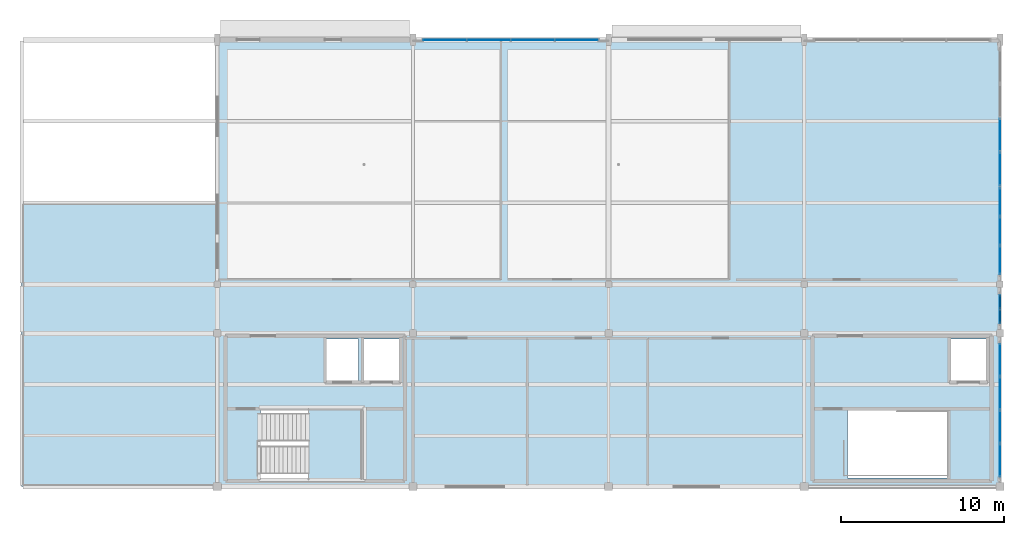
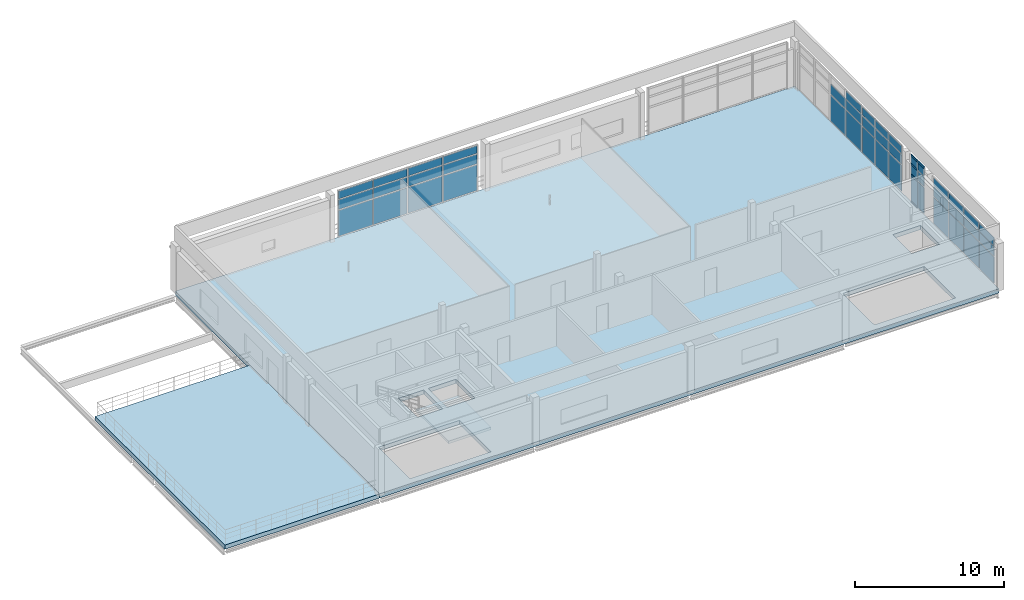
# One storey, part 4 of 9: 44 plates, 5 members, 3 slabs, 6 elements without a shape of their own.
"""IFC4 building model written with IfcOpenShell, lengths in metres."""

from ifc_helpers import new_model, si_unit, direction, frame, origin, origin_2d, place, context, subcontext, project, spatial, polyline, rectangle, outline, extrude, material, layer, layer_set, material_profile, profile_set, type_object, element, aggregate, save


model = new_model("IFC4")

# Units and contexts
model_context = context("Model", 3, precision=1e-05, world=origin(), true_north=direction((0.0, 1.0)))
body_context = subcontext(model_context, "Body", "Model", "MODEL_VIEW")
ifc_project = project(units=[si_unit("LENGTHUNIT", "METRE"), si_unit("AREAUNIT", "SQUARE_METRE"), si_unit("VOLUMEUNIT", "CUBIC_METRE"), si_unit("PLANEANGLEUNIT", "RADIAN"), si_unit("MASSUNIT", "GRAM", prefix="KILO"), si_unit("THERMODYNAMICTEMPERATUREUNIT", "KELVIN"), si_unit("POWERUNIT", "WATT")], contexts=[model_context])

# Site, building, storey
site_placement = place(None, origin())
site = spatial("IfcSite", under=ifc_project, at=site_placement, CompositionType="ELEMENT")
building_placement = place(site_placement, origin())
building = spatial("IfcBuilding", under=site, at=building_placement, Name="Solmara Park Aquatics Centre", CompositionType="ELEMENT")
storey_placement = place(building_placement, frame((0.0, 0.0, 18.60009765625)))
storey = spatial("IfcBuildingStorey", under=building, at=storey_placement, Name="L04", CompositionType="ELEMENT", Elevation=18.60009765625)

# Curtain wall, members
ifc_material_1 = material(Name="Anodised Aluminium Curtain Wall Framing", Category="aluminium")
curtain_wall_type_1 = type_object("IfcCurtainWallType", Name="ARC-CW-SYS06", PredefinedType="USERDEFINED", material=ifc_material_1)
curtain_wall_1_placement = place(storey_placement, origin())
curtain_wall_1 = element("IfcCurtainWall", 1, at=curtain_wall_1_placement, inside=storey, type_object=curtain_wall_type_1, Name="Curtain Wall CW-135", ObjectType="CURTAIN WALL", PredefinedType="USERDEFINED")
ifc_material_2 = material(Name="Anodised Aluminium Alloy 6063-T6", Category="aluminium")
ifc_material_profile = material_profile(ifc_material_2, rectangle(XDim=0.074951171875, YDim=0.14990234375, at=origin_2d()), Name="ALU TRANSOM 75x150")
ifc_profile_set = profile_set([ifc_material_profile], Name="Anodised Aluminium Alloy 6063-T6")
member_type = type_object("IfcMemberType", Name="ARC-CWT-75x150", PredefinedType="USERDEFINED", material=ifc_profile_set)
member_1_placement = place(storey_placement, frame((96.60009765625, 118.6201171875, 3.83984375), z_axis=(0.0, 1.0, 0.0), x_axis=(-1.0, 0.0, 0.0)))
member_1 = element("IfcMember", 2, at=member_1_placement, type_object=member_type, Name="CW-135 transom 4", ObjectType="TRANSOM", PredefinedType="USERDEFINED", context=body_context, shape_type="SweptSolid", body=[
    extrude(rectangle(XDim=0.074951171875, YDim=0.14990234375, at=origin_2d()), origin(), (0.0, 0.0, 1.0), 0.81982421875),
])
member_2_placement = place(storey_placement, frame((96.60009765625, 119.52001953125, 0.039794921875), z_axis=(0.0, 1.0, 0.0), x_axis=(-1.0, 0.0, 0.0)))
member_2 = element("IfcMember", 3, at=member_2_placement, type_object=member_type, Name="CW-135 transom 5", ObjectType="TRANSOM", PredefinedType="USERDEFINED", context=body_context, shape_type="SweptSolid", body=[
    extrude(rectangle(XDim=0.074951171875, YDim=0.14990234375, at=origin_2d()), origin(), (0.0, 0.0, 1.0), 0.820068359375),
])
member_3_placement = place(storey_placement, frame((96.60009765625, 119.52001953125, 2.250244140625), z_axis=(0.0, 1.0, 0.0), x_axis=(-1.0, 0.0, 0.0)))
member_3 = element("IfcMember", 4, at=member_3_placement, type_object=member_type, Name="CW-135 transom 6", ObjectType="TRANSOM", PredefinedType="USERDEFINED", context=body_context, shape_type="SweptSolid", body=[
    extrude(rectangle(XDim=0.074951171875, YDim=0.14990234375, at=origin_2d()), origin(), (0.0, 0.0, 1.0), 0.820068359375),
])
member_4_placement = place(storey_placement, frame((96.60009765625, 119.52001953125, 3.1298828125), z_axis=(0.0, 1.0, 0.0), x_axis=(-1.0, 0.0, 0.0)))
member_4 = element("IfcMember", 5, at=member_4_placement, type_object=member_type, Name="CW-135 transom 7", ObjectType="TRANSOM", PredefinedType="USERDEFINED", context=body_context, shape_type="SweptSolid", body=[
    extrude(rectangle(XDim=0.074951171875, YDim=0.14990234375, at=origin_2d()), origin(), (0.0, 0.0, 1.0), 0.820068359375),
])
member_5_placement = place(storey_placement, frame((96.60009765625, 119.52001953125, 3.83984375), z_axis=(0.0, 1.0, 0.0), x_axis=(-1.0, 0.0, 0.0)))
member_5 = element("IfcMember", 6, at=member_5_placement, type_object=member_type, Name="CW-135 transom 8", ObjectType="TRANSOM", PredefinedType="USERDEFINED", context=body_context, shape_type="SweptSolid", body=[
    extrude(rectangle(XDim=0.074951171875, YDim=0.14990234375, at=origin_2d()), origin(), (0.0, 0.0, 1.0), 0.820068359375),
])

# Curtain wall, plates
curtain_wall_2_placement = place(storey_placement, origin())
curtain_wall_2 = element("IfcCurtainWall", 7, at=curtain_wall_2_placement, inside=storey, type_object=curtain_wall_type_1, Name="Curtain Wall CW-136", ObjectType="CURTAIN WALL", PredefinedType="USERDEFINED")
ifc_material_3 = material(Name="Double Low-E Solar-Control Glazing", Category="glass")
ifc_layer_1 = layer(ifc_material_3, 0.035888671875, Name="Double Low-E Solar-Control Glazing")
ifc_layer_set_1 = layer_set([ifc_layer_1], Name="Double Low-E Solar-Control Glazing")
plate_type_1 = type_object("IfcPlateType", Name="ARC-CWP-GLZ36-1700x2140", PredefinedType="CURTAIN_PANEL", material=ifc_layer_set_1)
plate_1_placement = place(storey_placement, frame((96.60009765625, 122.473388671875, 0.079833984375), z_axis=(0.0, 0.0, 1.0), x_axis=(0.0, 1.0, 0.0)))
plate_1 = element("IfcPlate", 8, at=plate_1_placement, type_object=plate_type_1, Name="CW-136 panel 1", PredefinedType="CURTAIN_PANEL", context=body_context, shape_type="SweptSolid", body=[
    extrude(rectangle(XDim=1.706787109375, YDim=0.035888671875, at=origin_2d()), origin(), (0.0, 0.0, 1.0), 2.13037109375),
])
plate_2_placement = place(storey_placement, frame((96.60009765625, 124.260009765625, 0.079833984375), z_axis=(0.0, 0.0, 1.0), x_axis=(0.0, 1.0, 0.0)))
plate_2 = element("IfcPlate", 9, at=plate_2_placement, type_object=plate_type_1, Name="CW-136 panel 4", PredefinedType="CURTAIN_PANEL", context=body_context, shape_type="SweptSolid", body=[
    extrude(rectangle(XDim=1.70654296875, YDim=0.035888671875, at=origin_2d()), origin(), (0.0, 0.0, 1.0), 2.13037109375),
])
plate_3_placement = place(storey_placement, frame((96.60009765625, 126.046630859375, 0.079833984375), z_axis=(0.0, 0.0, 1.0), x_axis=(0.0, 1.0, 0.0)))
plate_3 = element("IfcPlate", 10, at=plate_3_placement, type_object=plate_type_1, Name="CW-136 panel 7", PredefinedType="CURTAIN_PANEL", context=body_context, shape_type="SweptSolid", body=[
    extrude(rectangle(XDim=1.706787109375, YDim=0.035888671875, at=origin_2d()), origin(), (0.0, 0.0, 1.0), 2.13037109375),
])
ifc_layer_2 = layer(ifc_material_3, 0.035888671875, Name="Double Low-E Solar-Control Glazing")
ifc_layer_set_2 = layer_set([ifc_layer_2], Name="Double Low-E Solar-Control Glazing")
plate_type_2 = type_object("IfcPlateType", Name="ARC-CWP-GLZ36-1700x800", PredefinedType="CURTAIN_PANEL", material=ifc_layer_set_2)
plate_4_placement = place(storey_placement, frame((96.60009765625, 122.473388671875, 2.29052734375), z_axis=(0.0, 0.0, 1.0), x_axis=(0.0, 1.0, 0.0)))
plate_4 = element("IfcPlate", 11, at=plate_4_placement, type_object=plate_type_2, Name="CW-136 panel 2", PredefinedType="CURTAIN_PANEL", context=body_context, shape_type="SweptSolid", body=[
    extrude(rectangle(XDim=1.706787109375, YDim=0.035888671875, at=origin_2d()), origin(), (0.0, 0.0, 1.0), 0.799560546875),
])
plate_5_placement = place(storey_placement, frame((96.60009765625, 124.260009765625, 2.29052734375), z_axis=(0.0, 0.0, 1.0), x_axis=(0.0, 1.0, 0.0)))
plate_5 = element("IfcPlate", 12, at=plate_5_placement, type_object=plate_type_2, Name="CW-136 panel 5", PredefinedType="CURTAIN_PANEL", context=body_context, shape_type="SweptSolid", body=[
    extrude(rectangle(XDim=1.70654296875, YDim=0.035888671875, at=origin_2d()), origin(), (0.0, 0.0, 1.0), 0.799560546875),
])
plate_6_placement = place(storey_placement, frame((96.60009765625, 126.046630859375, 2.29052734375), z_axis=(0.0, 0.0, 1.0), x_axis=(0.0, 1.0, 0.0)))
plate_6 = element("IfcPlate", 13, at=plate_6_placement, type_object=plate_type_2, Name="CW-136 panel 8", PredefinedType="CURTAIN_PANEL", context=body_context, shape_type="SweptSolid", body=[
    extrude(rectangle(XDim=1.706787109375, YDim=0.035888671875, at=origin_2d()), origin(), (0.0, 0.0, 1.0), 0.799560546875),
])

curtain_wall_3_placement = place(storey_placement, origin())
curtain_wall_3 = element("IfcCurtainWall", 14, at=curtain_wall_3_placement, inside=storey, type_object=curtain_wall_type_1, Name="Curtain Wall CW-134", ObjectType="CURTAIN WALL", PredefinedType="USERDEFINED")
ifc_layer_3 = layer(ifc_material_3, 0.035888671875, Name="Double Low-E Solar-Control Glazing")
ifc_layer_set_3 = layer_set([ifc_layer_3], Name="Double Low-E Solar-Control Glazing")
plate_type_3 = type_object("IfcPlateType", Name="ARC-CWP-GLZ36-1960x2140", PredefinedType="CURTAIN_PANEL", material=ifc_layer_set_3)
plate_7_placement = place(storey_placement, frame((96.60009765625, 110.205078125, 0.079833984375), z_axis=(0.0, 0.0, 1.0), x_axis=(0.0, 1.0, 0.0)))
plate_7 = element("IfcPlate", 15, at=plate_7_placement, type_object=plate_type_3, Name="CW-134 panel 1", PredefinedType="CURTAIN_PANEL", context=body_context, shape_type="SweptSolid", body=[
    extrude(rectangle(XDim=1.969970703125, YDim=0.035888671875, at=origin_2d()), origin(), (0.0, 0.0, 1.0), 2.13037109375),
])
plate_8_placement = place(storey_placement, frame((96.60009765625, 112.2548828125, 0.079833984375), z_axis=(0.0, 0.0, 1.0), x_axis=(0.0, 1.0, 0.0)))
plate_8 = element("IfcPlate", 16, at=plate_8_placement, type_object=plate_type_3, Name="CW-134 panel 4", PredefinedType="CURTAIN_PANEL", context=body_context, shape_type="SweptSolid", body=[
    extrude(rectangle(XDim=1.969970703125, YDim=0.035888671875, at=origin_2d()), origin(), (0.0, 0.0, 1.0), 2.13037109375),
])
plate_9_placement = place(storey_placement, frame((96.60009765625, 116.35498046875, 0.079833984375), z_axis=(0.0, 0.0, 1.0), x_axis=(0.0, 1.0, 0.0)))
plate_9 = element("IfcPlate", 17, at=plate_9_placement, type_object=plate_type_3, Name="CW-134 panel 10", PredefinedType="CURTAIN_PANEL", context=body_context, shape_type="SweptSolid", body=[
    extrude(rectangle(XDim=1.969970703125, YDim=0.035888671875, at=origin_2d()), origin(), (0.0, 0.0, 1.0), 2.13037109375),
])
ifc_layer_4 = layer(ifc_material_3, 0.035888671875, Name="Double Low-E Solar-Control Glazing")
ifc_layer_set_4 = layer_set([ifc_layer_4], Name="Double Low-E Solar-Control Glazing")
plate_type_4 = type_object("IfcPlateType", Name="ARC-CWP-GLZ36-1960x800", PredefinedType="CURTAIN_PANEL", material=ifc_layer_set_4)
plate_10_placement = place(storey_placement, frame((96.60009765625, 110.205078125, 2.29052734375), z_axis=(0.0, 0.0, 1.0), x_axis=(0.0, 1.0, 0.0)))
plate_10 = element("IfcPlate", 18, at=plate_10_placement, type_object=plate_type_4, Name="CW-134 panel 2", PredefinedType="CURTAIN_PANEL", context=body_context, shape_type="SweptSolid", body=[
    extrude(rectangle(XDim=1.969970703125, YDim=0.035888671875, at=origin_2d()), origin(), (0.0, 0.0, 1.0), 0.799560546875),
])
plate_11_placement = place(storey_placement, frame((96.60009765625, 112.2548828125, 2.29052734375), z_axis=(0.0, 0.0, 1.0), x_axis=(0.0, 1.0, 0.0)))
plate_11 = element("IfcPlate", 19, at=plate_11_placement, type_object=plate_type_4, Name="CW-134 panel 5", PredefinedType="CURTAIN_PANEL", context=body_context, shape_type="SweptSolid", body=[
    extrude(rectangle(XDim=1.969970703125, YDim=0.035888671875, at=origin_2d()), origin(), (0.0, 0.0, 1.0), 0.799560546875),
])
plate_12_placement = place(storey_placement, frame((96.60009765625, 116.35498046875, 2.29052734375), z_axis=(0.0, 0.0, 1.0), x_axis=(0.0, 1.0, 0.0)))
plate_12 = element("IfcPlate", 20, at=plate_12_placement, type_object=plate_type_4, Name="CW-134 panel 11", PredefinedType="CURTAIN_PANEL", context=body_context, shape_type="SweptSolid", body=[
    extrude(rectangle(XDim=1.969970703125, YDim=0.035888671875, at=origin_2d()), origin(), (0.0, 0.0, 1.0), 0.799560546875),
])
ifc_layer_5 = layer(ifc_material_3, 0.035888671875, Name="Double Low-E Solar-Control Glazing")
ifc_layer_set_5 = layer_set([ifc_layer_5], Name="Double Low-E Solar-Control Glazing")
plate_type_5 = type_object("IfcPlateType", Name="ARC-CWP-GLZ36-1980x2140", PredefinedType="CURTAIN_PANEL", material=ifc_layer_set_5)
plate_13_placement = place(storey_placement, frame((96.60009765625, 114.304931640625, 0.079833984375), z_axis=(0.0, 0.0, 1.0), x_axis=(0.0, 1.0, 0.0)))
plate_13 = element("IfcPlate", 21, at=plate_13_placement, type_object=plate_type_5, Name="CW-134 panel 7", PredefinedType="CURTAIN_PANEL", context=body_context, shape_type="SweptSolid", body=[
    extrude(rectangle(XDim=1.969970703125, YDim=0.035888671875, at=origin_2d()), origin(), (0.0, 0.0, 1.0), 2.13037109375),
])
ifc_layer_6 = layer(ifc_material_3, 0.035888671875, Name="Double Low-E Solar-Control Glazing")
ifc_layer_set_6 = layer_set([ifc_layer_6], Name="Double Low-E Solar-Control Glazing")
plate_type_6 = type_object("IfcPlateType", Name="ARC-CWP-GLZ36-1980x800", PredefinedType="CURTAIN_PANEL", material=ifc_layer_set_6)
plate_14_placement = place(storey_placement, frame((96.60009765625, 114.304931640625, 2.29052734375), z_axis=(0.0, 0.0, 1.0), x_axis=(0.0, 1.0, 0.0)))
plate_14 = element("IfcPlate", 22, at=plate_14_placement, type_object=plate_type_6, Name="CW-134 panel 8", PredefinedType="CURTAIN_PANEL", context=body_context, shape_type="SweptSolid", body=[
    extrude(rectangle(XDim=1.969970703125, YDim=0.035888671875, at=origin_2d()), origin(), (0.0, 0.0, 1.0), 0.799560546875),
])

curtain_wall_4_placement = place(storey_placement, origin())
curtain_wall_4 = element("IfcCurtainWall", 23, at=curtain_wall_4_placement, inside=storey, type_object=curtain_wall_type_1, Name="Curtain Wall CW-137", ObjectType="CURTAIN WALL", PredefinedType="USERDEFINED")
ifc_layer_7 = layer(ifc_material_3, 0.035888671875, Name="Double Low-E Solar-Control Glazing")
ifc_layer_set_7 = layer_set([ifc_layer_7], Name="Double Low-E Solar-Control Glazing")
plate_type_7 = type_object("IfcPlateType", Name="ARC-CWP-GLZ36-2000x2140", PredefinedType="CURTAIN_PANEL", material=ifc_layer_set_7)
plate_15_placement = place(storey_placement, frame((96.60009765625, 128.06494140625, 0.079833984375), z_axis=(0.0, 0.0, 1.0), x_axis=(0.0, 1.0, 0.0)))
plate_15 = element("IfcPlate", 24, at=plate_15_placement, type_object=plate_type_7, Name="CW-137 panel 1", PredefinedType="CURTAIN_PANEL", context=body_context, shape_type="SweptSolid", body=[
    extrude(rectangle(XDim=2.010009765625, YDim=0.035888671875, at=origin_2d()), origin(), (0.0, 0.0, 1.0), 2.13037109375),
])
plate_16_placement = place(storey_placement, frame((96.60009765625, 130.155029296875, 0.079833984375), z_axis=(0.0, 0.0, 1.0), x_axis=(0.0, 1.0, 0.0)))
plate_16 = element("IfcPlate", 25, at=plate_16_placement, type_object=plate_type_7, Name="CW-137 panel 4", PredefinedType="CURTAIN_PANEL", context=body_context, shape_type="SweptSolid", body=[
    extrude(rectangle(XDim=2.010009765625, YDim=0.035888671875, at=origin_2d()), origin(), (0.0, 0.0, 1.0), 2.13037109375),
])
ifc_layer_8 = layer(ifc_material_3, 0.035888671875, Name="Double Low-E Solar-Control Glazing")
ifc_layer_set_8 = layer_set([ifc_layer_8], Name="Double Low-E Solar-Control Glazing")
plate_type_8 = type_object("IfcPlateType", Name="ARC-CWP-GLZ36-2000x800", PredefinedType="CURTAIN_PANEL", material=ifc_layer_set_8)
plate_17_placement = place(storey_placement, frame((96.60009765625, 128.06494140625, 2.29052734375), z_axis=(0.0, 0.0, 1.0), x_axis=(0.0, 1.0, 0.0)))
plate_17 = element("IfcPlate", 26, at=plate_17_placement, type_object=plate_type_8, Name="CW-137 panel 2", PredefinedType="CURTAIN_PANEL", context=body_context, shape_type="SweptSolid", body=[
    extrude(rectangle(XDim=2.010009765625, YDim=0.035888671875, at=origin_2d()), origin(), (0.0, 0.0, 1.0), 0.799560546875),
])
plate_18_placement = place(storey_placement, frame((96.60009765625, 130.155029296875, 2.29052734375), z_axis=(0.0, 0.0, 1.0), x_axis=(0.0, 1.0, 0.0)))
plate_18 = element("IfcPlate", 27, at=plate_18_placement, type_object=plate_type_8, Name="CW-137 panel 5", PredefinedType="CURTAIN_PANEL", context=body_context, shape_type="SweptSolid", body=[
    extrude(rectangle(XDim=2.010009765625, YDim=0.035888671875, at=origin_2d()), origin(), (0.0, 0.0, 1.0), 0.799560546875),
])

curtain_wall_type_2 = type_object("IfcCurtainWallType", Name="ARC-CW-SYS04", PredefinedType="USERDEFINED", material=ifc_material_1)
curtain_wall_5_placement = place(storey_placement, origin())
curtain_wall_5 = element("IfcCurtainWall", 28, at=curtain_wall_5_placement, inside=storey, type_object=curtain_wall_type_2, Name="Curtain Wall CW-132", ObjectType="CURTAIN WALL", PredefinedType="USERDEFINED")
ifc_layer_9 = layer(ifc_material_3, 0.035888671875, Name="Double Low-E Solar-Control Glazing")
ifc_layer_set_9 = layer_set([ifc_layer_9], Name="Double Low-E Solar-Control Glazing")
plate_type_9 = type_object("IfcPlateType", Name="ARC-CWP-GLZ36-2620x2100", PredefinedType="CURTAIN_PANEL", material=ifc_layer_set_9)
plate_19_placement = place(storey_placement, frame((62.530029296875, 136.0, 0.080078125), z_axis=(0.0, 0.0, 1.0), x_axis=(1.0, 0.0, 0.0)))
plate_19 = element("IfcPlate", 29, at=plate_19_placement, type_object=plate_type_9, Name="CW-132 panel 1", PredefinedType="CURTAIN_PANEL", context=body_context, shape_type="SweptSolid", body=[
    extrude(rectangle(XDim=2.6201171875, YDim=0.035888671875, at=origin_2d()), origin(), (0.0, 0.0, 1.0), 2.107177734375),
])
plate_20_placement = place(storey_placement, frame((65.22998046875, 136.0, 0.080078125), z_axis=(0.0, 0.0, 1.0), x_axis=(1.0, 0.0, 0.0)))
plate_20 = element("IfcPlate", 30, at=plate_20_placement, type_object=plate_type_9, Name="CW-132 panel 4", PredefinedType="CURTAIN_PANEL", context=body_context, shape_type="SweptSolid", body=[
    extrude(rectangle(XDim=2.6201171875, YDim=0.035888671875, at=origin_2d()), origin(), (0.0, 0.0, 1.0), 2.107177734375),
])
plate_21_placement = place(storey_placement, frame((67.929931640625, 136.0, 0.080078125), z_axis=(0.0, 0.0, 1.0), x_axis=(1.0, 0.0, 0.0)))
plate_21 = element("IfcPlate", 31, at=plate_21_placement, type_object=plate_type_9, Name="CW-132 panel 7", PredefinedType="CURTAIN_PANEL", context=body_context, shape_type="SweptSolid", body=[
    extrude(rectangle(XDim=2.6201171875, YDim=0.035888671875, at=origin_2d()), origin(), (0.0, 0.0, 1.0), 2.107177734375),
])
plate_22_placement = place(storey_placement, frame((70.6298828125, 136.0, 0.080078125), z_axis=(0.0, 0.0, 1.0), x_axis=(1.0, 0.0, 0.0)))
plate_22 = element("IfcPlate", 32, at=plate_22_placement, type_object=plate_type_9, Name="CW-132 panel 10", PredefinedType="CURTAIN_PANEL", context=body_context, shape_type="SweptSolid", body=[
    extrude(rectangle(XDim=2.6201171875, YDim=0.035888671875, at=origin_2d()), origin(), (0.0, 0.0, 1.0), 2.107177734375),
])
ifc_layer_10 = layer(ifc_material_3, 0.035888671875, Name="Double Low-E Solar-Control Glazing")
ifc_layer_set_10 = layer_set([ifc_layer_10], Name="Double Low-E Solar-Control Glazing")
plate_type_10 = type_object("IfcPlateType", Name="ARC-CWP-GLZ36-2620x780", PredefinedType="CURTAIN_PANEL", material=ifc_layer_set_10)
plate_23_placement = place(storey_placement, frame((62.530029296875, 136.0, 2.26708984375), z_axis=(0.0, 0.0, 1.0), x_axis=(1.0, 0.0, 0.0)))
plate_23 = element("IfcPlate", 33, at=plate_23_placement, type_object=plate_type_10, Name="CW-132 panel 2", PredefinedType="CURTAIN_PANEL", context=body_context, shape_type="SweptSolid", body=[
    extrude(rectangle(XDim=2.6201171875, YDim=0.035888671875, at=origin_2d()), origin(), (0.0, 0.0, 1.0), 0.78271484375),
])
plate_24_placement = place(storey_placement, frame((65.22998046875, 136.0, 2.26708984375), z_axis=(0.0, 0.0, 1.0), x_axis=(1.0, 0.0, 0.0)))
plate_24 = element("IfcPlate", 34, at=plate_24_placement, type_object=plate_type_10, Name="CW-132 panel 5", PredefinedType="CURTAIN_PANEL", context=body_context, shape_type="SweptSolid", body=[
    extrude(rectangle(XDim=2.6201171875, YDim=0.035888671875, at=origin_2d()), origin(), (0.0, 0.0, 1.0), 0.78271484375),
])
plate_25_placement = place(storey_placement, frame((67.929931640625, 136.0, 2.26708984375), z_axis=(0.0, 0.0, 1.0), x_axis=(1.0, 0.0, 0.0)))
plate_25 = element("IfcPlate", 35, at=plate_25_placement, type_object=plate_type_10, Name="CW-132 panel 8", PredefinedType="CURTAIN_PANEL", context=body_context, shape_type="SweptSolid", body=[
    extrude(rectangle(XDim=2.6201171875, YDim=0.035888671875, at=origin_2d()), origin(), (0.0, 0.0, 1.0), 0.78271484375),
])
plate_26_placement = place(storey_placement, frame((70.6298828125, 136.0, 2.26708984375), z_axis=(0.0, 0.0, 1.0), x_axis=(1.0, 0.0, 0.0)))
plate_26 = element("IfcPlate", 36, at=plate_26_placement, type_object=plate_type_10, Name="CW-132 panel 11", PredefinedType="CURTAIN_PANEL", context=body_context, shape_type="SweptSolid", body=[
    extrude(rectangle(XDim=2.6201171875, YDim=0.035888671875, at=origin_2d()), origin(), (0.0, 0.0, 1.0), 0.78271484375),
])

# Plate
ifc_layer_11 = layer(ifc_material_3, 0.035888671875, Name="Double Low-E Solar-Control Glazing")
ifc_layer_set_11 = layer_set([ifc_layer_11], Name="Double Low-E Solar-Control Glazing")
plate_type_11 = type_object("IfcPlateType", Name="ARC-CWP-GLZ36-820x2140", PredefinedType="CURTAIN_PANEL", material=ifc_layer_set_11)
plate_27_placement = place(storey_placement, frame((96.60009765625, 119.030029296875, 0.079833984375), z_axis=(0.0, 0.0, 1.0), x_axis=(0.0, 1.0, 0.0)))
plate_27 = element("IfcPlate", 37, at=plate_27_placement, type_object=plate_type_11, Name="CW-135 panel 1", PredefinedType="CURTAIN_PANEL", context=body_context, shape_type="SweptSolid", body=[
    extrude(rectangle(XDim=0.820068359375, YDim=0.035888671875, at=origin_2d()), origin(), (0.0, 0.0, 1.0), 2.13037109375),
])

plate_28_placement = place(storey_placement, frame((96.60009765625, 119.929931640625, 0.079833984375), z_axis=(0.0, 0.0, 1.0), x_axis=(0.0, 1.0, 0.0)))
plate_28 = element("IfcPlate", 38, at=plate_28_placement, type_object=plate_type_11, Name="CW-135 panel 4", PredefinedType="CURTAIN_PANEL", context=body_context, shape_type="SweptSolid", body=[
    extrude(rectangle(XDim=0.820068359375, YDim=0.035888671875, at=origin_2d()), origin(), (0.0, 0.0, 1.0), 2.13037109375),
])

ifc_layer_12 = layer(ifc_material_3, 0.035888671875, Name="Double Low-E Solar-Control Glazing")
ifc_layer_set_12 = layer_set([ifc_layer_12], Name="Double Low-E Solar-Control Glazing")
plate_type_12 = type_object("IfcPlateType", Name="ARC-CWP-GLZ36-820x800", PredefinedType="CURTAIN_PANEL", material=ifc_layer_set_12)
plate_29_placement = place(storey_placement, frame((96.60009765625, 119.030029296875, 2.29052734375), z_axis=(0.0, 0.0, 1.0), x_axis=(0.0, 1.0, 0.0)))
plate_29 = element("IfcPlate", 39, at=plate_29_placement, type_object=plate_type_12, Name="CW-135 panel 2", PredefinedType="CURTAIN_PANEL", context=body_context, shape_type="SweptSolid", body=[
    extrude(rectangle(XDim=0.820068359375, YDim=0.035888671875, at=origin_2d()), origin(), (0.0, 0.0, 1.0), 0.799560546875),
])

plate_30_placement = place(storey_placement, frame((96.60009765625, 119.929931640625, 2.29052734375), z_axis=(0.0, 0.0, 1.0), x_axis=(0.0, 1.0, 0.0)))
plate_30 = element("IfcPlate", 40, at=plate_30_placement, type_object=plate_type_12, Name="CW-135 panel 5", PredefinedType="CURTAIN_PANEL", context=body_context, shape_type="SweptSolid", body=[
    extrude(rectangle(XDim=0.820068359375, YDim=0.035888671875, at=origin_2d()), origin(), (0.0, 0.0, 1.0), 0.799560546875),
])

ifc_material_4 = material(Name="Golden-Ochre Enamelled Aluminium Fascia Panel", Category="aluminium")
ifc_layer_13 = layer(ifc_material_4, 0.0400390625, Name="Golden-Ochre Enamelled Aluminium Fascia Panel")
ifc_layer_set_13 = layer_set([ifc_layer_13], Name="Golden-Ochre Enamelled Aluminium Fascia Panel")
plate_type_13 = type_object("IfcPlateType", Name="ARC-CWP-OCH40-1700x620", PredefinedType="CURTAIN_PANEL", material=ifc_layer_set_13)
plate_31_placement = place(storey_placement, frame((96.60009765625, 122.473388671875, 3.169921875), z_axis=(0.0, 0.0, 1.0), x_axis=(0.0, 1.0, 0.0)))
plate_31 = element("IfcPlate", 41, at=plate_31_placement, type_object=plate_type_13, Name="CW-136 panel 3", PredefinedType="CURTAIN_PANEL", context=body_context, shape_type="SweptSolid", body=[
    extrude(rectangle(XDim=1.706787109375, YDim=0.0400390625, at=origin_2d()), origin(), (0.0, 0.0, 1.0), 0.6298828125),
])

plate_32_placement = place(storey_placement, frame((96.60009765625, 124.260009765625, 3.169921875), z_axis=(0.0, 0.0, 1.0), x_axis=(0.0, 1.0, 0.0)))
plate_32 = element("IfcPlate", 42, at=plate_32_placement, type_object=plate_type_13, Name="CW-136 panel 6", PredefinedType="CURTAIN_PANEL", context=body_context, shape_type="SweptSolid", body=[
    extrude(rectangle(XDim=1.70654296875, YDim=0.0400390625, at=origin_2d()), origin(), (0.0, 0.0, 1.0), 0.6298828125),
])

plate_33_placement = place(storey_placement, frame((96.60009765625, 126.046630859375, 3.169921875), z_axis=(0.0, 0.0, 1.0), x_axis=(0.0, 1.0, 0.0)))
plate_33 = element("IfcPlate", 43, at=plate_33_placement, type_object=plate_type_13, Name="CW-136 panel 9", PredefinedType="CURTAIN_PANEL", context=body_context, shape_type="SweptSolid", body=[
    extrude(rectangle(XDim=1.706787109375, YDim=0.0400390625, at=origin_2d()), origin(), (0.0, 0.0, 1.0), 0.6298828125),
])

aggregate(curtain_wall_2, [plate_1, plate_4, plate_31, plate_2, plate_5, plate_32, plate_3, plate_6, plate_33])

ifc_layer_14 = layer(ifc_material_4, 0.0400390625, Name="Golden-Ochre Enamelled Aluminium Fascia Panel")
ifc_layer_set_14 = layer_set([ifc_layer_14], Name="Golden-Ochre Enamelled Aluminium Fascia Panel")
plate_type_14 = type_object("IfcPlateType", Name="ARC-CWP-OCH40-2620x620", PredefinedType="CURTAIN_PANEL", material=ifc_layer_set_14)
plate_34_placement = place(storey_placement, frame((62.530029296875, 136.0, 3.1298828125), z_axis=(0.0, 0.0, 1.0), x_axis=(1.0, 0.0, 0.0)))
plate_34 = element("IfcPlate", 44, at=plate_34_placement, type_object=plate_type_14, Name="CW-132 panel 3", PredefinedType="CURTAIN_PANEL", context=body_context, shape_type="SweptSolid", body=[
    extrude(rectangle(XDim=2.6201171875, YDim=0.0400390625, at=origin_2d()), origin(), (0.0, 0.0, 1.0), 0.6298828125),
])

plate_35_placement = place(storey_placement, frame((65.22998046875, 136.0, 3.1298828125), z_axis=(0.0, 0.0, 1.0), x_axis=(1.0, 0.0, 0.0)))
plate_35 = element("IfcPlate", 45, at=plate_35_placement, type_object=plate_type_14, Name="CW-132 panel 6", PredefinedType="CURTAIN_PANEL", context=body_context, shape_type="SweptSolid", body=[
    extrude(rectangle(XDim=2.6201171875, YDim=0.0400390625, at=origin_2d()), origin(), (0.0, 0.0, 1.0), 0.6298828125),
])

plate_36_placement = place(storey_placement, frame((67.929931640625, 136.0, 3.1298828125), z_axis=(0.0, 0.0, 1.0), x_axis=(1.0, 0.0, 0.0)))
plate_36 = element("IfcPlate", 46, at=plate_36_placement, type_object=plate_type_14, Name="CW-132 panel 9", PredefinedType="CURTAIN_PANEL", context=body_context, shape_type="SweptSolid", body=[
    extrude(rectangle(XDim=2.6201171875, YDim=0.0400390625, at=origin_2d()), origin(), (0.0, 0.0, 1.0), 0.6298828125),
])

plate_37_placement = place(storey_placement, frame((70.6298828125, 136.0, 3.1298828125), z_axis=(0.0, 0.0, 1.0), x_axis=(1.0, 0.0, 0.0)))
plate_37 = element("IfcPlate", 47, at=plate_37_placement, type_object=plate_type_14, Name="CW-132 panel 12", PredefinedType="CURTAIN_PANEL", context=body_context, shape_type="SweptSolid", body=[
    extrude(rectangle(XDim=2.6201171875, YDim=0.0400390625, at=origin_2d()), origin(), (0.0, 0.0, 1.0), 0.6298828125),
])

aggregate(curtain_wall_5, [plate_19, plate_23, plate_34, plate_20, plate_24, plate_35, plate_21, plate_25, plate_36, plate_22, plate_26, plate_37])

ifc_material_5 = material(Name="Insulated Anodised Aluminium Spandrel Panel", Category="aluminium")
ifc_layer_15 = layer(ifc_material_5, 0.0439453125, Name="Insulated Anodised Aluminium Spandrel Panel")
ifc_layer_set_15 = layer_set([ifc_layer_15], Name="Insulated Anodised Aluminium Spandrel Panel")
plate_type_15 = type_object("IfcPlateType", Name="ARC-CWP-SPN44-1960x620", PredefinedType="CURTAIN_PANEL", material=ifc_layer_set_15)
plate_38_placement = place(storey_placement, frame((96.60009765625, 110.205078125, 3.169921875), z_axis=(0.0, 0.0, 1.0), x_axis=(0.0, 1.0, 0.0)))
plate_38 = element("IfcPlate", 48, at=plate_38_placement, type_object=plate_type_15, Name="CW-134 panel 3", PredefinedType="CURTAIN_PANEL", context=body_context, shape_type="SweptSolid", body=[
    extrude(rectangle(XDim=1.969970703125, YDim=0.0439453125, at=origin_2d()), origin(), (0.0, 0.0, 1.0), 0.6298828125),
])

plate_39_placement = place(storey_placement, frame((96.60009765625, 112.2548828125, 3.169921875), z_axis=(0.0, 0.0, 1.0), x_axis=(0.0, 1.0, 0.0)))
plate_39 = element("IfcPlate", 49, at=plate_39_placement, type_object=plate_type_15, Name="CW-134 panel 6", PredefinedType="CURTAIN_PANEL", context=body_context, shape_type="SweptSolid", body=[
    extrude(rectangle(XDim=1.969970703125, YDim=0.0439453125, at=origin_2d()), origin(), (0.0, 0.0, 1.0), 0.6298828125),
])

plate_40_placement = place(storey_placement, frame((96.60009765625, 116.35498046875, 3.169921875), z_axis=(0.0, 0.0, 1.0), x_axis=(0.0, 1.0, 0.0)))
plate_40 = element("IfcPlate", 50, at=plate_40_placement, type_object=plate_type_15, Name="CW-134 panel 12", PredefinedType="CURTAIN_PANEL", context=body_context, shape_type="SweptSolid", body=[
    extrude(rectangle(XDim=1.969970703125, YDim=0.0439453125, at=origin_2d()), origin(), (0.0, 0.0, 1.0), 0.6298828125),
])

ifc_layer_16 = layer(ifc_material_5, 0.0439453125, Name="Insulated Anodised Aluminium Spandrel Panel")
ifc_layer_set_16 = layer_set([ifc_layer_16], Name="Insulated Anodised Aluminium Spandrel Panel")
plate_type_16 = type_object("IfcPlateType", Name="ARC-CWP-SPN44-1980x620", PredefinedType="CURTAIN_PANEL", material=ifc_layer_set_16)
plate_41_placement = place(storey_placement, frame((96.60009765625, 114.304931640625, 3.169921875), z_axis=(0.0, 0.0, 1.0), x_axis=(0.0, 1.0, 0.0)))
plate_41 = element("IfcPlate", 51, at=plate_41_placement, type_object=plate_type_16, Name="CW-134 panel 9", PredefinedType="CURTAIN_PANEL", context=body_context, shape_type="SweptSolid", body=[
    extrude(rectangle(XDim=1.969970703125, YDim=0.0439453125, at=origin_2d()), origin(), (0.0, 0.0, 1.0), 0.6298828125),
])

aggregate(curtain_wall_3, [plate_7, plate_10, plate_38, plate_8, plate_11, plate_39, plate_13, plate_14, plate_41, plate_9, plate_12, plate_40])

ifc_layer_17 = layer(ifc_material_5, 0.0439453125, Name="Insulated Anodised Aluminium Spandrel Panel")
ifc_layer_set_17 = layer_set([ifc_layer_17], Name="Insulated Anodised Aluminium Spandrel Panel")
plate_type_17 = type_object("IfcPlateType", Name="ARC-CWP-SPN44-2000x620", PredefinedType="CURTAIN_PANEL", material=ifc_layer_set_17)
plate_42_placement = place(storey_placement, frame((96.60009765625, 128.06494140625, 3.169921875), z_axis=(0.0, 0.0, 1.0), x_axis=(0.0, 1.0, 0.0)))
plate_42 = element("IfcPlate", 52, at=plate_42_placement, type_object=plate_type_17, Name="CW-137 panel 3", PredefinedType="CURTAIN_PANEL", context=body_context, shape_type="SweptSolid", body=[
    extrude(rectangle(XDim=2.010009765625, YDim=0.0439453125, at=origin_2d()), origin(), (0.0, 0.0, 1.0), 0.6298828125),
])

aggregate(curtain_wall_4, [plate_15, plate_17, plate_42, plate_16, plate_18])

ifc_layer_18 = layer(ifc_material_5, 0.0439453125, Name="Insulated Anodised Aluminium Spandrel Panel")
ifc_layer_set_18 = layer_set([ifc_layer_18], Name="Insulated Anodised Aluminium Spandrel Panel")
plate_type_18 = type_object("IfcPlateType", Name="ARC-CWP-SPN44-820x620", PredefinedType="CURTAIN_PANEL", material=ifc_layer_set_18)
plate_43_placement = place(storey_placement, frame((96.60009765625, 119.030029296875, 3.169921875), z_axis=(0.0, 0.0, 1.0), x_axis=(0.0, 1.0, 0.0)))
plate_43 = element("IfcPlate", 53, at=plate_43_placement, type_object=plate_type_18, Name="CW-135 panel 3", PredefinedType="CURTAIN_PANEL", context=body_context, shape_type="SweptSolid", body=[
    extrude(rectangle(XDim=0.820068359375, YDim=0.0439453125, at=origin_2d()), origin(), (0.0, 0.0, 1.0), 0.6298828125),
])

plate_44_placement = place(storey_placement, frame((96.60009765625, 119.929931640625, 3.169921875), z_axis=(0.0, 0.0, 1.0), x_axis=(0.0, 1.0, 0.0)))
plate_44 = element("IfcPlate", 54, at=plate_44_placement, type_object=plate_type_18, Name="CW-135 panel 6", PredefinedType="CURTAIN_PANEL", context=body_context, shape_type="SweptSolid", body=[
    extrude(rectangle(XDim=0.820068359375, YDim=0.0439453125, at=origin_2d()), origin(), (0.0, 0.0, 1.0), 0.6298828125),
])

aggregate(curtain_wall_1, [member_1, member_2, member_3, member_4, member_5, plate_27, plate_29, plate_43, plate_28, plate_30, plate_44])

# Stair, slab
ifc_material_6 = material(Name="Concrete C40/50", Category="concrete")
stair_type = type_object("IfcStairType", Name="ARC-ST-CORE", PredefinedType="HALF_TURN_STAIR", material=ifc_material_6)
stair_placement = place(storey_placement, origin())
stair = element("IfcStair", 55, at=stair_placement, inside=storey, type_object=stair_type, Name="ST-01 Protected Exit Stair (L04 to RF)", PredefinedType="HALF_TURN_STAIR")
ifc_layer_19 = layer(ifc_material_6, 0.219970703125, Name="Concrete C40/50")
ifc_layer_set_19 = layer_set([ifc_layer_19], Name="Concrete C40/50")
slab_type_1 = type_object("IfcSlabType", Name="ARC-SLB-LND220", PredefinedType="LANDING", material=ifc_layer_set_19)
slab_1_placement = place(storey_placement, frame((0.0, 0.0, 1.8798828125)))
slab_1 = element("IfcSlab", 56, at=slab_1_placement, type_object=slab_type_1, Name="ST-01 landing 1", PredefinedType="LANDING", context=body_context, shape_type="SweptSolid", body=[
    extrude(outline(polyline([(54.18994140625, 109.030029296875), (57.47998046875, 109.030029296875), (57.47998046875, 113.3701171875), (54.18994140625, 113.3701171875), (54.18994140625, 109.030029296875)])), origin(), (0.0, 0.0, 1.0), 0.219970703125),
])
aggregate(stair, [slab_1])

# Slabs
ifc_layer_20 = layer(ifc_material_6, 0.340087890625, Name="Concrete C40/50")
ifc_layer_set_20 = layer_set([ifc_layer_20], Name="Concrete C40/50")
slab_type_2 = type_object("IfcSlabType", Name="STR-SLB-BEL340", PredefinedType="FLOOR", material=ifc_layer_set_20)
slab_2_placement = place(storey_placement, frame((0.0, 0.0, -0.340087890625)))
element("IfcSlab", 57, at=slab_2_placement, inside=storey, type_object=slab_type_2, Name="Broadcast, Timing & Press Belvedere L04 Slab", PredefinedType="FLOOR", context=body_context, shape_type="SweptSolid", body=[
    extrude(outline(polyline([(48.60009765625, 108.60009765625), (96.60009765625, 108.60009765625), (96.60009765625, 136.0), (48.60009765625, 136.0), (48.60009765625, 108.60009765625)]), holes=[polyline([(51.25, 109.1298828125), (57.550048828125, 109.1298828125), (57.550048828125, 113.3701171875), (51.25, 113.3701171875), (51.25, 109.1298828125)]), polyline([(57.60009765625, 115.10009765625), (59.75, 115.10009765625), (59.75, 117.64990234375), (57.60009765625, 117.64990234375), (57.60009765625, 115.10009765625)]), polyline([(55.300048828125, 115.10009765625), (57.25, 115.10009765625), (57.25, 117.64990234375), (55.300048828125, 117.64990234375), (55.300048828125, 115.10009765625)]), polyline([(87.25, 109.1298828125), (93.550048828125, 109.1298828125), (93.550048828125, 113.3701171875), (87.25, 113.3701171875), (87.25, 109.1298828125)]), polyline([(93.60009765625, 115.10009765625), (95.75, 115.10009765625), (95.75, 117.64990234375), (93.60009765625, 117.64990234375), (93.60009765625, 115.10009765625)])]), origin(), (0.0, 0.0, 1.0), 0.340087890625),
])
slab_3_placement = place(storey_placement, frame((0.0, 0.0, -0.340087890625)))
element("IfcSlab", 58, at=slab_3_placement, inside=storey, type_object=slab_type_2, Name="L04 Broadcast Observation Terrace Slab", PredefinedType="FLOOR", context=body_context, shape_type="SweptSolid", body=[
    extrude(outline(polyline([(36.60009765625, 108.60009765625), (48.60009765625, 108.60009765625), (48.60009765625, 126.0), (36.60009765625, 126.0), (36.60009765625, 108.60009765625)])), origin(), (0.0, 0.0, 1.0), 0.340087890625),
])

save(model, "model.ifc")
